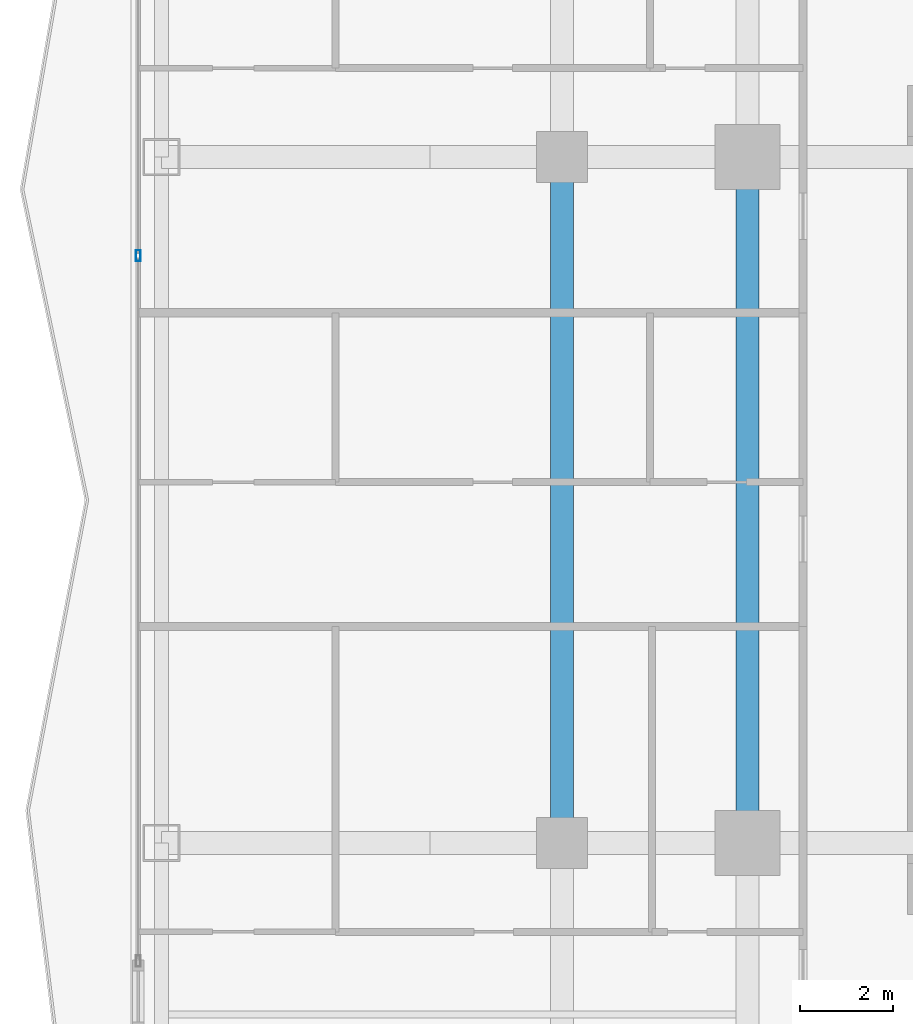
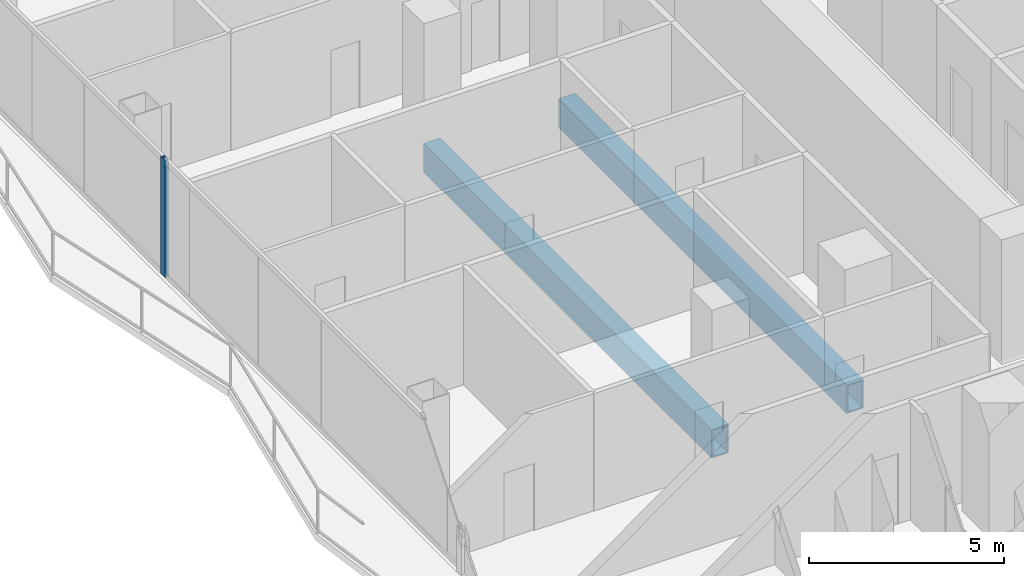
# One storey, part 6 of 29: 2 beams, 1 member, 1 element without a shape of its own.
"""IFC4 building model written with IfcOpenShell, lengths in metres."""

from ifc_helpers import new_model, si_unit, direction, frame, origin, origin_2d, place, context, subcontext, project, spatial, hollow_rectangle, extrude, material, layer, layer_set, material_profile, profile_set, type_object, element, aggregate, save


model = new_model("IFC4")

# Units and contexts
model_context = context("Model", 3, precision=1e-05, world=origin(), true_north=direction((0.0, 1.0)))
body_context = subcontext(model_context, "Body", "Model", "MODEL_VIEW")
ifc_project = project(units=[si_unit("LENGTHUNIT", "METRE"), si_unit("AREAUNIT", "SQUARE_METRE"), si_unit("VOLUMEUNIT", "CUBIC_METRE"), si_unit("PLANEANGLEUNIT", "RADIAN"), si_unit("MASSUNIT", "GRAM", prefix="KILO")], contexts=[model_context])

# Site, building, storey
site_placement = place(None, origin())
site = spatial("IfcSite", under=ifc_project, at=site_placement, CompositionType="ELEMENT")
building_placement = place(site_placement, origin())
building = spatial("IfcBuilding", under=site, at=building_placement, Name="Khorvyn Point Tower", CompositionType="ELEMENT")
storey_placement = place(building_placement, frame((0.0, 0.0, 54.0)))
storey = spatial("IfcBuildingStorey", under=building, at=storey_placement, Name="L14", CompositionType="ELEMENT", Elevation=54.0)

# Curtain wall, member
ifc_material_1 = material(Name="Anodised aluminium 6063-T6 and laminated Low-E glass", Category="aluminium")
ifc_layer = layer(ifc_material_1, 0.18994140625)
ifc_layer_set = layer_set([ifc_layer], Name="Stick-Built Finned Residential Curtain Wall CW-SYS-02")
curtain_wall_type = type_object("IfcCurtainWallType", Name="Stick-Built Finned Residential Curtain Wall CW-SYS-02", PredefinedType="NOTDEFINED", material=ifc_layer_set)
curtain_wall_placement = place(storey_placement, origin())
curtain_wall = element("IfcCurtainWall", 1, at=curtain_wall_placement, inside=storey, type_object=curtain_wall_type, Name="Curtain Wall", PredefinedType="NOTDEFINED")
ifc_material_2 = material(Name="Anodised aluminium 6063-T6", Category="aluminium")
ifc_material_profile_1 = material_profile(ifc_material_2, hollow_rectangle(XDim=0.10009765625, YDim=0.239990234375, WallThickness=0.0048828125, at=origin_2d()))
ifc_profile_set_1 = profile_set([ifc_material_profile_1], Name="Anodised aluminium 6063-T6 ALU-MUL-100x240")
member_type = type_object("IfcMemberType", Name="Anodised Aluminium 6063-T6 Mullion ALU-MUL-100x240", PredefinedType="MULLION", material=ifc_profile_set_1)
member_placement = place(storey_placement, frame((-27.949951171875, 5.27490234375, 0.0), z_axis=(0.0, 0.0, 1.0), x_axis=(-1.0, 0.0, 0.0)))
member = element("IfcMember", 2, at=member_placement, type_object=member_type, Name="Transom", PredefinedType="MULLION", context=body_context, shape_type="SweptSolid", body=[
    extrude(hollow_rectangle(XDim=0.10009765625, YDim=0.239990234375, WallThickness=0.0048828125, at=origin_2d()), origin(), (0.0, 0.0, 1.0), 3.679931640625),
])
aggregate(curtain_wall, [member])

# Beams
ifc_material_3 = material(Name="Steel S450", Category="steel")
ifc_material_profile_2 = material_profile(ifc_material_3, hollow_rectangle(XDim=0.5, YDim=0.89990234375, WallThickness=0.0400390625, at=origin_2d()))
ifc_profile_set_2 = profile_set([ifc_material_profile_2], Name="Steel S450 BOX900x500x40")
beam_type = type_object("IfcBeamType", Name="Steel S450 Beam BOX900x500x40", PredefinedType="BEAM", material=ifc_profile_set_2)
for number, where, z_axis, x_axis, name in (
    (3, (-14.800048828125, -7.39990234375, -0.72998046875), (0.0, 1.0, 0.0), (-1.0, 0.0, 0.0), "L14 Radial Transfer Girder"),
    (4, (-18.800048828125, -7.39990234375, -0.72998046875), (0.0, 1.0, 0.0), (-1.0, 0.0, 0.0), "Beam"),
):
    element("IfcBeam", number, at=place(storey_placement, frame(where, z_axis=z_axis, x_axis=x_axis)), inside=storey, type_object=beam_type, Name=name, PredefinedType="BEAM", context=body_context, shape_type="SweptSolid", body=[
        extrude(hollow_rectangle(XDim=0.5, YDim=0.89990234375, WallThickness=0.0400390625, at=origin_2d()), origin(), (0.0, 0.0, 1.0), 14.7998046875),
    ])

save(model, "model.ifc")
